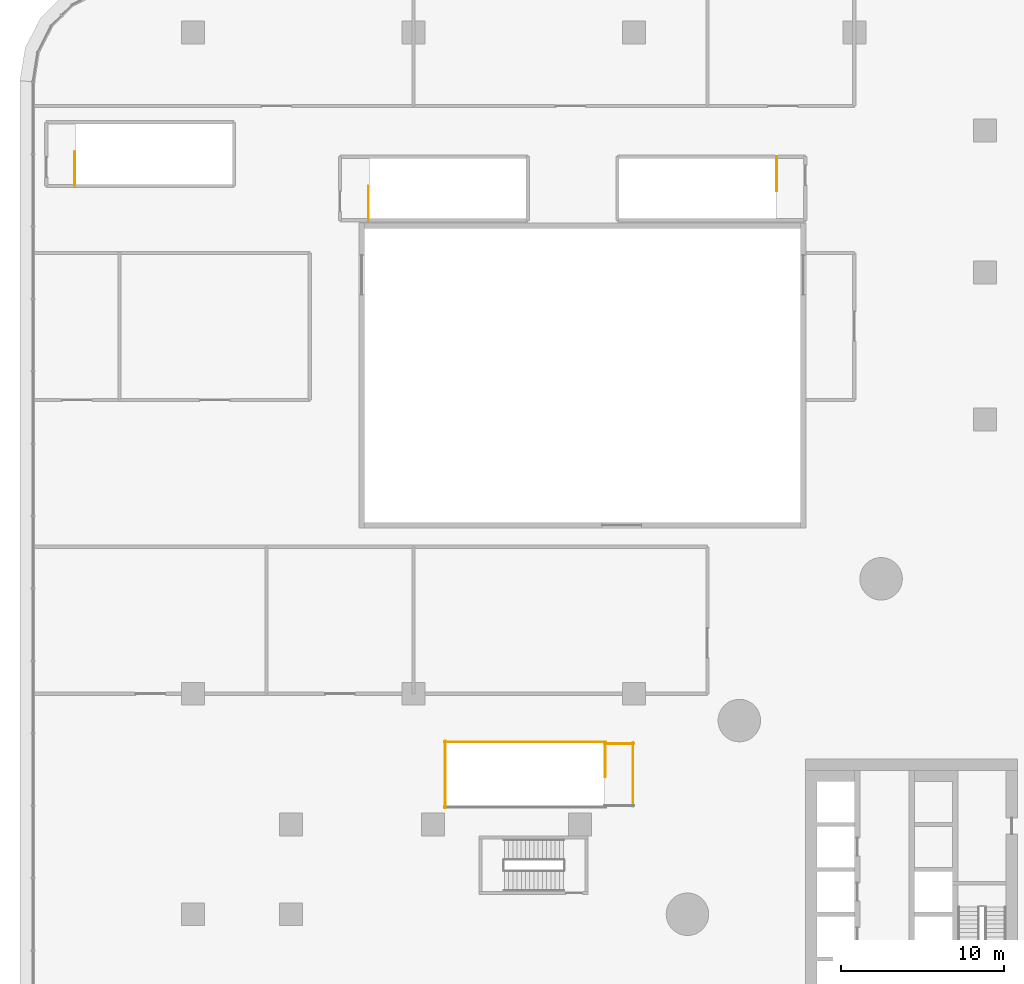
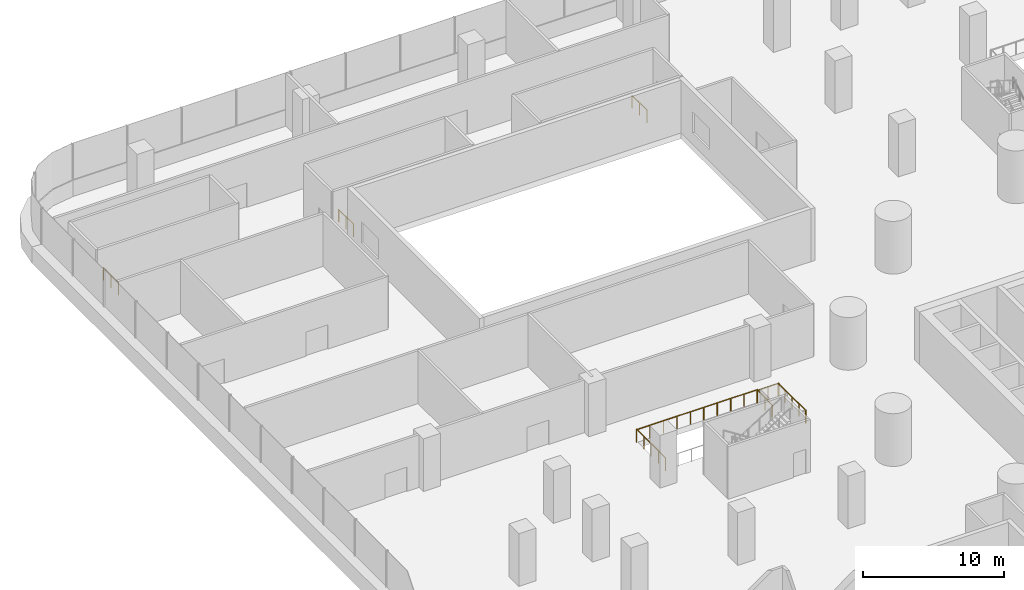
# One storey, part 36 of 38: 8 railings.
"""IFC4 building model written with IfcOpenShell, lengths in metres."""

from ifc_helpers import new_model, si_unit, direction, frame, origin, origin_2d, place, context, subcontext, project, spatial, circle, extrude, material, type_object, element, save


model = new_model("IFC4")

# Units and contexts
model_context = context("Model", 3, precision=1e-05, world=origin(), true_north=direction((0.0, 1.0)))
body_context = subcontext(model_context, "Body", "Model", "MODEL_VIEW")
ifc_project = project(units=[si_unit("LENGTHUNIT", "METRE"), si_unit("AREAUNIT", "SQUARE_METRE"), si_unit("VOLUMEUNIT", "CUBIC_METRE"), si_unit("PLANEANGLEUNIT", "RADIAN"), si_unit("MASSUNIT", "GRAM", prefix="KILO")], contexts=[model_context])

# Site, building, storey
site_placement = place(None, origin())
site = spatial("IfcSite", under=ifc_project, at=site_placement, CompositionType="ELEMENT")
building_placement = place(site_placement, origin())
building = spatial("IfcBuilding", under=site, at=building_placement, Name="Tamarind Cross Interchange Tower", CompositionType="ELEMENT")
storey_placement = place(building_placement, frame((0.0, 0.0, 20.0)))
storey = spatial("IfcBuildingStorey", under=building, at=storey_placement, Name="L03", CompositionType="ELEMENT", Elevation=20.0)

# Railings
ifc_material = material(Name="Public stair guard")
railing_type = type_object("IfcRailingType", Name="Public stair guard", PredefinedType="GUARDRAIL", material=ifc_material)
railing_1_placement = place(storey_placement, frame((-28.75, 10.5, 0.0)))
element("IfcRailing", 1, at=railing_1_placement, inside=storey, type_object=railing_type, Name="L03 PS-W top well guard 1", PredefinedType="GUARDRAIL", context=body_context, shape_type="SweptSolid", body=[
    extrude(circle(Radius=0.02392578125, at=origin_2d()), frame((0.0, 0.0, 1.076171875), z_axis=(0.0, -1.0, 0.0), x_axis=(1.0, 0.0, 0.0)), (0.0, 0.0, 1.0), 2.10009765625),
    extrude(circle(Radius=0.02099609375, at=origin_2d()), origin(), (0.0, 0.0, 1.0), 1.052001953125),
    extrude(circle(Radius=0.02099609375, at=origin_2d()), frame((0.0, -1.050048828125, 0.0)), (0.0, 0.0, 1.0), 1.052001953125),
    extrude(circle(Radius=0.02099609375, at=origin_2d()), frame((0.0, -2.10009765625, 0.0)), (0.0, 0.0, 1.0), 1.052001953125),
])
railing_2_placement = place(storey_placement, frame((-28.699951171875, 10.550048828125, 0.0)))
element("IfcRailing", 2, at=railing_2_placement, inside=storey, type_object=railing_type, Name="L03 PS-W top well guard 2", PredefinedType="GUARDRAIL", context=body_context, shape_type="SweptSolid", body=[
    extrude(circle(Radius=0.02392578125, at=origin_2d()), frame((0.0, 0.0, 1.076171875), z_axis=(-1.0, 0.0, 0.0), x_axis=(0.0, -1.0, 0.0)), (0.0, 0.0, 1.0), 9.900146484375),
    extrude(circle(Radius=0.02099609375, at=origin_2d()), origin(), (0.0, 0.0, 1.0), 1.052001953125),
    extrude(circle(Radius=0.02099609375, at=origin_2d()), frame((-1.10009765625, 0.0, 0.0)), (0.0, 0.0, 1.0), 1.052001953125),
    extrude(circle(Radius=0.02099609375, at=origin_2d()), frame((-2.199951171875, 0.0, 0.0)), (0.0, 0.0, 1.0), 1.052001953125),
    extrude(circle(Radius=0.02099609375, at=origin_2d()), frame((-3.300048828125, 0.0, 0.0)), (0.0, 0.0, 1.0), 1.052001953125),
    extrude(circle(Radius=0.02099609375, at=origin_2d()), frame((-4.400146484375, 0.0, 0.0)), (0.0, 0.0, 1.0), 1.052001953125),
    extrude(circle(Radius=0.02099609375, at=origin_2d()), frame((-5.5, 0.0, 0.0)), (0.0, 0.0, 1.0), 1.052001953125),
    extrude(circle(Radius=0.02099609375, at=origin_2d()), frame((-6.60009765625, 0.0, 0.0)), (0.0, 0.0, 1.0), 1.052001953125),
    extrude(circle(Radius=0.02099609375, at=origin_2d()), frame((-7.7001953125, 0.0, 0.0)), (0.0, 0.0, 1.0), 1.052001953125),
    extrude(circle(Radius=0.02099609375, at=origin_2d()), frame((-8.800048828125, 0.0, 0.0)), (0.0, 0.0, 1.0), 1.052001953125),
    extrude(circle(Radius=0.02099609375, at=origin_2d()), frame((-9.900146484375, 0.0, 0.0)), (0.0, 0.0, 1.0), 1.052001953125),
])
railing_3_placement = place(storey_placement, frame((-38.550048828125, 10.60009765625, 0.0)))
element("IfcRailing", 3, at=railing_3_placement, inside=storey, type_object=railing_type, Name="L03 PS-W top well guard 4", PredefinedType="GUARDRAIL", context=body_context, shape_type="SweptSolid", body=[
    extrude(circle(Radius=0.02392578125, at=origin_2d()), frame((0.0, 0.0, 1.076171875), z_axis=(0.0, -1.0, 0.0), x_axis=(1.0, 0.0, 0.0)), (0.0, 0.0, 1.0), 4.10009765625),
    extrude(circle(Radius=0.02099609375, at=origin_2d()), origin(), (0.0, 0.0, 1.0), 1.052001953125),
    extrude(circle(Radius=0.02099609375, at=origin_2d()), frame((0.0, -1.02490234375, 0.0)), (0.0, 0.0, 1.0), 1.052001953125),
    extrude(circle(Radius=0.02099609375, at=origin_2d()), frame((0.0, -2.050048828125, 0.0)), (0.0, 0.0, 1.0), 1.052001953125),
    extrude(circle(Radius=0.02099609375, at=origin_2d()), frame((0.0, -3.0751953125, 0.0)), (0.0, 0.0, 1.0), 1.052001953125),
    extrude(circle(Radius=0.02099609375, at=origin_2d()), frame((0.0, -4.10009765625, 0.0)), (0.0, 0.0, 1.0), 1.052001953125),
])
railing_4_placement = place(storey_placement, frame((-27.0, 10.449951171875, 0.0)))
element("IfcRailing", 4, at=railing_4_placement, inside=storey, type_object=railing_type, Name="L03 PS-W top well guard 5", PredefinedType="GUARDRAIL", context=body_context, shape_type="SweptSolid", body=[
    extrude(circle(Radius=0.02392578125, at=origin_2d()), frame((0.0, 0.0, 1.076171875), z_axis=(-1.0, 0.0, 0.0), x_axis=(0.0, -1.0, 0.0)), (0.0, 0.0, 1.0), 1.800048828125),
    extrude(circle(Radius=0.02099609375, at=origin_2d()), origin(), (0.0, 0.0, 1.0), 1.052001953125),
    extrude(circle(Radius=0.02099609375, at=origin_2d()), frame((-0.89990234375, 0.0, 0.0)), (0.0, 0.0, 1.0), 1.052001953125),
    extrude(circle(Radius=0.02099609375, at=origin_2d()), frame((-1.800048828125, 0.0, 0.0)), (0.0, 0.0, 1.0), 1.052001953125),
])
railing_5_placement = place(storey_placement, frame((-27.050048828125, 10.5, 0.0)))
element("IfcRailing", 5, at=railing_5_placement, inside=storey, type_object=railing_type, Name="L03 PS-W top well guard 7", PredefinedType="GUARDRAIL", context=body_context, shape_type="SweptSolid", body=[
    extrude(circle(Radius=0.02392578125, at=origin_2d()), frame((0.0, 0.0, 1.076171875), z_axis=(0.0, -1.0, 0.0), x_axis=(1.0, 0.0, 0.0)), (0.0, 0.0, 1.0), 3.89990234375),
    extrude(circle(Radius=0.02099609375, at=origin_2d()), origin(), (0.0, 0.0, 1.0), 1.052001953125),
    extrude(circle(Radius=0.02099609375, at=origin_2d()), frame((0.0, -0.97509765625, 0.0)), (0.0, 0.0, 1.0), 1.052001953125),
    extrude(circle(Radius=0.02099609375, at=origin_2d()), frame((0.0, -1.949951171875, 0.0)), (0.0, 0.0, 1.0), 1.052001953125),
    extrude(circle(Radius=0.02099609375, at=origin_2d()), frame((0.0, -2.9248046875, 0.0)), (0.0, 0.0, 1.0), 1.052001953125),
    extrude(circle(Radius=0.02099609375, at=origin_2d()), frame((0.0, -3.89990234375, 0.0)), (0.0, 0.0, 1.0), 1.052001953125),
])
railing_6_placement = place(storey_placement, frame((-43.25, 42.5, 0.0)))
element("IfcRailing", 6, at=railing_6_placement, inside=storey, type_object=railing_type, Name="L03 XS-P04 top well guard 1", PredefinedType="GUARDRAIL", context=body_context, shape_type="SweptSolid", body=[
    extrude(circle(Radius=0.02392578125, at=origin_2d()), frame((0.0, 0.0, 1.076171875), z_axis=(0.0, 1.0, 0.0), x_axis=(-1.0, 0.0, 0.0)), (0.0, 0.0, 1.0), 2.10009765625),
    extrude(circle(Radius=0.02099609375, at=origin_2d()), origin(), (0.0, 0.0, 1.0), 1.052001953125),
    extrude(circle(Radius=0.02099609375, at=origin_2d()), frame((0.0, 1.050048828125, 0.0)), (0.0, 0.0, 1.0), 1.052001953125),
    extrude(circle(Radius=0.02099609375, at=origin_2d()), frame((0.0, 2.10009765625, 0.0)), (0.0, 0.0, 1.0), 1.052001953125),
])
railing_7_placement = place(storey_placement, frame((-61.25, 44.60009765625, 0.0)))
element("IfcRailing", 7, at=railing_7_placement, inside=storey, type_object=railing_type, Name="L03 XS-P05 top well guard 1", PredefinedType="GUARDRAIL", context=body_context, shape_type="SweptSolid", body=[
    extrude(circle(Radius=0.02392578125, at=origin_2d()), frame((0.0, 0.0, 1.076171875), z_axis=(0.0, 1.0, 0.0), x_axis=(-1.0, 0.0, 0.0)), (0.0, 0.0, 1.0), 2.099853515625),
    extrude(circle(Radius=0.02099609375, at=origin_2d()), origin(), (0.0, 0.0, 1.0), 1.052001953125),
    extrude(circle(Radius=0.02099609375, at=origin_2d()), frame((0.0, 1.0498046875, 0.0)), (0.0, 0.0, 1.0), 1.052001953125),
    extrude(circle(Radius=0.02099609375, at=origin_2d()), frame((0.0, 2.099853515625, 0.0)), (0.0, 0.0, 1.0), 1.052001953125),
])
railing_8_placement = place(storey_placement, frame((-18.25, 46.39990234375, 0.0)))
element("IfcRailing", 8, at=railing_8_placement, inside=storey, type_object=railing_type, Name="L03 XS-P06 top well guard 1", PredefinedType="GUARDRAIL", context=body_context, shape_type="SweptSolid", body=[
    extrude(circle(Radius=0.02392578125, at=origin_2d()), frame((0.0, 0.0, 1.076171875), z_axis=(0.0, -1.0, 0.0), x_axis=(1.0, 0.0, 0.0)), (0.0, 0.0, 1.0), 2.099853515625),
    extrude(circle(Radius=0.02099609375, at=origin_2d()), origin(), (0.0, 0.0, 1.0), 1.052001953125),
    extrude(circle(Radius=0.02099609375, at=origin_2d()), frame((0.0, -1.0498046875, 0.0)), (0.0, 0.0, 1.0), 1.052001953125),
    extrude(circle(Radius=0.02099609375, at=origin_2d()), frame((0.0, -2.099853515625, 0.0)), (0.0, 0.0, 1.0), 1.052001953125),
])

save(model, "model.ifc")
